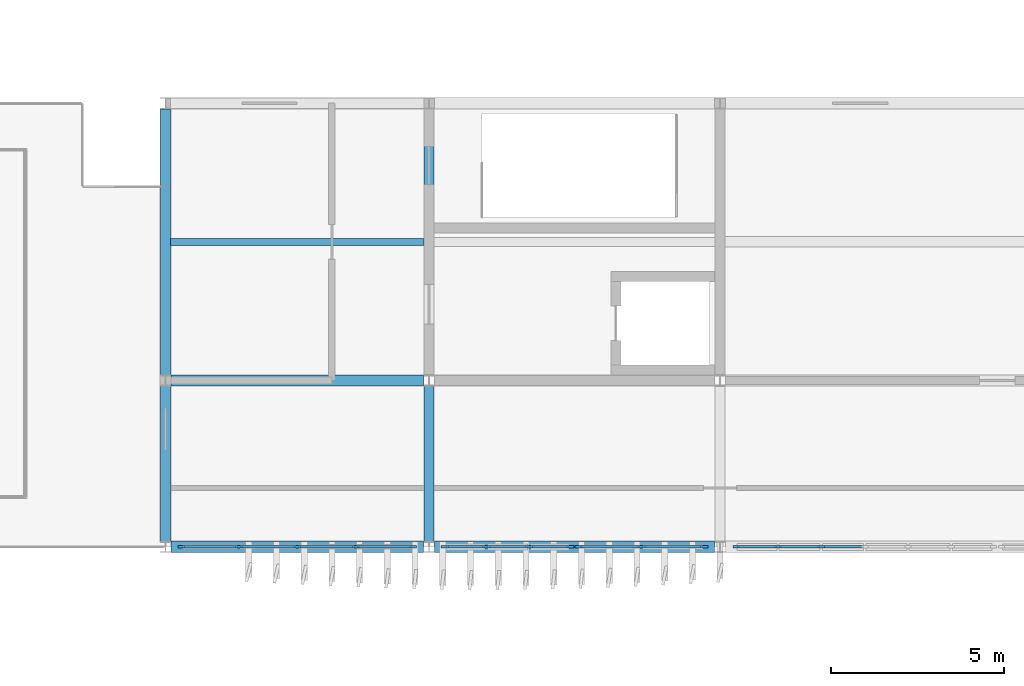
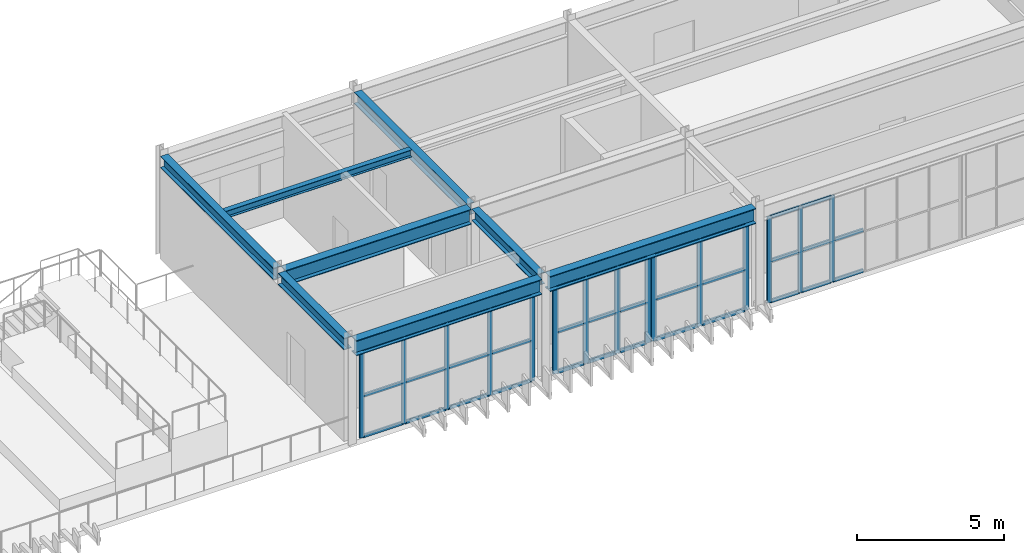
# One storey, part 15 of 45: 50 members, 8 beams, 4 elements without a shape of their own.
"""IFC4 building model written with IfcOpenShell, lengths in metres."""

import ifcopenshell
import ifcopenshell.guid

model = None  # the IFC model being written
_history = None  # IfcOwnerHistory: only IFC2X3 demands one
_inside = {}  # id of a spatial element -> (the spatial element, [elements in it])
_under = {}  # id of a project, library or spatial element -> (it, [spatial elements below it])
_declared = {}  # id of a project -> (the project, [libraries it declares])
_typed = {}  # id of a type object -> (the type object, [elements of that type])
_made_of = {}  # id of a material, layer set ... -> (it, [elements and type objects made of it])


def new_model(schema):
    """Start an empty IFC model of exactly this schema.

    Asked for "IFC4X3", IfcOpenShell would pick the latest addendum, in which some entities
    have other attributes; the version numbers below select the first issue.
    IFC2X3 requires an IfcOwnerHistory on every rooted entity: one is made here for all.
    """
    global model, _history
    if schema == "IFC4X3":
        model = ifcopenshell.file(schema_version=(4, 3, 0, 0))
    else:
        model = ifcopenshell.file(schema=schema)
    _inside.clear()
    _under.clear()
    _declared.clear()
    _typed.clear()
    _made_of.clear()
    _history = None
    if model.schema == "IFC2X3":
        org = make("IfcOrganization", Name="unknown")
        user = make(
            "IfcPersonAndOrganization",
            ThePerson=make("IfcPerson", FamilyName="unknown"),
            TheOrganization=org,
        )
        app = make(
            "IfcApplication",
            ApplicationDeveloper=org,
            Version="unknown",
            ApplicationFullName="unknown",
            ApplicationIdentifier="unknown",
        )
        _history = make(
            "IfcOwnerHistory",
            OwningUser=user,
            OwningApplication=app,
            ChangeAction="ADDED",
            CreationDate=0,
        )
    return model


def make(cls, **values):
    """One entity of the class cls with the attributes given. An attribute that is None is left unset."""
    return model.create_entity(
        cls, **{name: value for name, value in values.items() if value is not None}
    )


def rooted(cls, **values):
    """An entity with a GlobalId (a new one), such as an element, a storey or a relation."""
    return make(cls, GlobalId=ifcopenshell.guid.new(), OwnerHistory=_history, **values)


def si_unit(unit_type, name, prefix=None):
    """IfcSIUnit, for example si_unit("LENGTHUNIT", "METRE", prefix="MILLI")."""
    return make("IfcSIUnit", UnitType=unit_type, Prefix=prefix, Name=name)


def assignment(units):
    """IfcUnitAssignment: the units of a project."""
    return None if units is None else make("IfcUnitAssignment", Units=units)


def point(xyz):
    """IfcCartesianPoint."""
    return None if xyz is None else make("IfcCartesianPoint", Coordinates=xyz)


def direction(xyz):
    """IfcDirection."""
    return None if xyz is None else make("IfcDirection", DirectionRatios=xyz)


def frame(location, z_axis=None, x_axis=None):
    """IfcAxis2Placement3D, a coordinate frame: its origin and axes. An axis left out is left unset."""
    return make(
        "IfcAxis2Placement3D",
        Location=point(location),
        Axis=direction(z_axis),
        RefDirection=direction(x_axis),
    )


def frame_2d(location, x_axis=None):
    """IfcAxis2Placement2D, a coordinate frame in the plane: its origin and x axis."""
    return make(
        "IfcAxis2Placement2D", Location=point(location), RefDirection=direction(x_axis)
    )


def origin():
    """The frame at (0, 0, 0) with its axes left unset."""
    return frame((0.0, 0.0, 0.0))


def origin_2d():
    """The frame at (0, 0) in the plane with its x axis left unset."""
    return frame_2d((0.0, 0.0))


def place(relative_to, where):
    """IfcLocalPlacement: puts the frame where relative to a parent placement (None: the world)."""
    return make(
        "IfcLocalPlacement", PlacementRelTo=relative_to, RelativePlacement=where
    )


def context(
    kind, dimensions, precision=None, world=None, true_north=None, identifier=None
):
    """IfcGeometricRepresentationContext, for example the 3D "Model" context."""
    return make(
        "IfcGeometricRepresentationContext",
        ContextIdentifier=identifier,
        ContextType=kind,
        CoordinateSpaceDimension=dimensions,
        Precision=precision,
        WorldCoordinateSystem=world,
        TrueNorth=true_north,
    )


def subcontext(parent, identifier, kind, view, scale=None):
    """IfcGeometricRepresentationSubContext, for example "Body" below "Model"."""
    return make(
        "IfcGeometricRepresentationSubContext",
        ContextIdentifier=identifier,
        ContextType=kind,
        ParentContext=parent,
        TargetScale=scale,
        TargetView=view,
    )


def project(units=None, contexts=None):
    """IfcProject with its units and contexts."""
    return rooted(
        "IfcProject",
        Name="project",
        RepresentationContexts=contexts,
        UnitsInContext=assignment(units),
    )


def spatial(cls, under=None, at=None, **own):
    """A site, building, storey or space (cls), placed at a placement, below another one or the project."""
    s = rooted(cls, ObjectPlacement=at, **own)
    if under is not None:
        _under.setdefault(under.id(), (under, []))[1].append(s)
    return s


def profile(cls, at=None, kind="AREA", **sizes):
    """A parametric profile (cls). Its sizes go by their IFC names, for example OverallWidth=200.0."""
    return make(cls, ProfileType=kind, Position=at, **sizes)


def rectangle(**sizes):
    """IfcRectangleProfileDef."""
    return profile("IfcRectangleProfileDef", **sizes)


def i_section(**sizes):
    """IfcIShapeProfileDef."""
    return profile("IfcIShapeProfileDef", **sizes)


def extrude(swept, where, along, depth):
    """IfcExtrudedAreaSolid: the profile swept, set in the frame where, extruded along a direction by depth."""
    return make(
        "IfcExtrudedAreaSolid",
        SweptArea=swept,
        Position=where,
        ExtrudedDirection=direction(along),
        Depth=depth,
    )


def shape(context_of_items, identifier, shape_type, items):
    """IfcShapeRepresentation: the items that make up one representation, for example the "Body"."""
    return make(
        "IfcShapeRepresentation",
        ContextOfItems=context_of_items,
        RepresentationIdentifier=identifier,
        RepresentationType=shape_type,
        Items=items,
    )


def material(Name=None, Category=None):
    """IfcMaterial."""
    return make("IfcMaterial", Name=Name, Category=Category)


def layer(
    of_material, thickness, ventilated=None, Name=None, Category=None, Priority=None
):
    """IfcMaterialLayer: one layer of a wall or slab, of a material (None: an air gap)."""
    return make(
        "IfcMaterialLayer",
        Material=of_material,
        LayerThickness=thickness,
        IsVentilated=ventilated,
        Name=Name,
        Category=Category,
        Priority=Priority,
    )


def layer_set(layers, Name=None):
    """IfcMaterialLayerSet."""
    return make("IfcMaterialLayerSet", MaterialLayers=layers, LayerSetName=Name)


def material_profile(
    of_material, cross_section, Name=None, Category=None, Priority=None
):
    """IfcMaterialProfile: a cross section and its material."""
    return make(
        "IfcMaterialProfile",
        Name=Name,
        Material=of_material,
        Profile=cross_section,
        Priority=Priority,
        Category=Category,
    )


def profile_set(profiles, Name=None, composite=None):
    """IfcMaterialProfileSet."""
    return make(
        "IfcMaterialProfileSet",
        Name=Name,
        MaterialProfiles=profiles,
        CompositeProfile=composite,
    )


def made_of(thing, what):
    """Note that an element or type object is made of a material, layer set ...; save() writes the relation."""
    if what is not None:
        _made_of.setdefault(what.id(), (what, []))[1].append(thing)
    return thing


def type_object(cls, material=None, **own):
    """A type object (cls), such as IfcWallType, which elements share."""
    return made_of(rooted(cls, **own), material)


def element(
    cls,
    number,
    at=None,
    inside=None,
    cuts=None,
    type_object=None,
    material=None,
    context=None,
    identifier="Body",
    shape_type=None,
    held_by="IfcProductDefinitionShape",
    body=None,
    shapes=None,
    **own,
):
    """One element of the class cls, such as IfcWall. Its Tag is "e" and its number.

    at: its placement. inside: the storey or other place that contains it. cuts: it is an
    opening in that element (IfcRelVoidsElement). A single representation is given by context,
    identifier, shape_type and body (its items); several are given by shapes. held_by: the class
    of the entity that holds the representations. save() writes the other relations.
    """
    e = rooted(cls, Tag="e%d" % number, ObjectPlacement=at, **own)
    if body is not None:
        shapes = [shape(context, identifier, shape_type, body)]
    if shapes is not None:
        e.Representation = make(held_by, Representations=shapes)
    if inside is not None:
        _inside.setdefault(inside.id(), (inside, []))[1].append(e)
    if cuts is not None:
        rooted(
            "IfcRelVoidsElement", RelatingBuildingElement=cuts, RelatedOpeningElement=e
        )
    if type_object is not None:
        _typed.setdefault(type_object.id(), (type_object, []))[1].append(e)
    return made_of(e, material)


def aggregate(whole, parts):
    """IfcRelAggregates: a whole, such as a stair, and the parts it consists of."""
    return rooted("IfcRelAggregates", RelatingObject=whole, RelatedObjects=parts)


def save(model, path):
    """Write the relations noted so far, then the file.

    IfcRelAggregates (storeys below a building ...), IfcRelContainedInSpatialStructure (elements
    in a storey), IfcRelDefinesByType, IfcRelAssociatesMaterial and IfcRelDeclares: one each for
    every whole, place, type object, material and project.
    """
    for whole, parts in _under.values():
        aggregate(whole, parts)
    for where, things in _inside.values():
        rooted(
            "IfcRelContainedInSpatialStructure",
            RelatedElements=things,
            RelatingStructure=where,
        )
    for kind, things in _typed.values():
        rooted("IfcRelDefinesByType", RelatedObjects=things, RelatingType=kind)
    for what, things in _made_of.values():
        rooted("IfcRelAssociatesMaterial", RelatedObjects=things, RelatingMaterial=what)
    for by, libraries in _declared.values():
        rooted("IfcRelDeclares", RelatingContext=by, RelatedDefinitions=libraries)
    model.write(path)


model = new_model("IFC4")

# Units and contexts
model_context = context("Model", 3, precision=1e-05, world=origin(), true_north=direction((0.0, 1.0)))
body_context = subcontext(model_context, "Body", "Model", "MODEL_VIEW")
ifc_project = project(units=[si_unit("LENGTHUNIT", "METRE"), si_unit("AREAUNIT", "SQUARE_METRE"), si_unit("VOLUMEUNIT", "CUBIC_METRE"), si_unit("PLANEANGLEUNIT", "RADIAN"), si_unit("MASSUNIT", "GRAM", prefix="KILO")], contexts=[model_context])

# Site, building, storey
site_placement = place(None, origin())
site = spatial("IfcSite", under=ifc_project, at=site_placement, CompositionType="ELEMENT")
building_placement = place(site_placement, origin())
building = spatial("IfcBuilding", under=site, at=building_placement, Name="Cinchona Park Media Centre", CompositionType="ELEMENT")
storey_placement = place(building_placement, frame((0.0, 0.0, 20.39990234375)))
storey = spatial("IfcBuildingStorey", under=building, at=storey_placement, Name="L04", CompositionType="ELEMENT", Elevation=20.39990234375)

# Beams
ifc_material_1 = material(Name="Steel S355", Category="steel")
ifc_material_profile_1 = material_profile(ifc_material_1, i_section(OverallWidth=0.3291015625, OverallDepth=0.635009765625, WebThickness=0.017822265625, FlangeThickness=0.031005859375, at=origin_2d()), Name="W610X241")
ifc_profile_set_1 = profile_set([ifc_material_profile_1], Name="Steel S355")
beam_type_1 = type_object("IfcBeamType", Name="BEAM-B05-W610X241", PredefinedType="BEAM", material=ifc_profile_set_1)
beam_1_placement = place(storey_placement, frame((78.955078125, 74.800048828125, 3.9375), z_axis=(1.0, 0.0, 0.0), x_axis=(0.0, 1.0, 0.0)))
element("IfcBeam", 1, at=beam_1_placement, inside=storey, type_object=beam_type_1, Name="Beam B05 L04", PredefinedType="BEAM", context=body_context, shape_type="SweptSolid", body=[
    extrude(i_section(OverallWidth=0.3291015625, OverallDepth=0.635009765625, WebThickness=0.017822265625, FlangeThickness=0.031005859375, at=origin_2d()), origin(), (0.0, 0.0, 1.0), 7.2900390625),
])
beam_2_placement = place(storey_placement, frame((86.554931640625, 74.800048828125, 3.9375), z_axis=(1.0, 0.0, 0.0), x_axis=(0.0, 1.0, 0.0)))
element("IfcBeam", 2, at=beam_2_placement, inside=storey, type_object=beam_type_1, Name="Beam B05 L04", PredefinedType="BEAM", context=body_context, shape_type="SweptSolid", body=[
    extrude(i_section(OverallWidth=0.3291015625, OverallDepth=0.635009765625, WebThickness=0.017822265625, FlangeThickness=0.031005859375, at=origin_2d()), origin(), (0.0, 0.0, 1.0), 8.090087890625),
])
beam_3_placement = place(storey_placement, frame((78.955078125, 79.60009765625, 3.9375), z_axis=(1.0, 0.0, 0.0), x_axis=(0.0, 1.0, 0.0)))
element("IfcBeam", 3, at=beam_3_placement, inside=storey, type_object=beam_type_1, Name="Beam B05 L04", PredefinedType="BEAM", context=body_context, shape_type="SweptSolid", body=[
    extrude(i_section(OverallWidth=0.3291015625, OverallDepth=0.635009765625, WebThickness=0.017822265625, FlangeThickness=0.031005859375, at=origin_2d()), origin(), (0.0, 0.0, 1.0), 7.2900390625),
])
ifc_material_2 = material(Name="Steel S355", Category="steel")
ifc_material_profile_2 = material_profile(ifc_material_2, i_section(OverallWidth=0.285888671875, OverallDepth=0.48193359375, WebThickness=0.0166015625, FlangeThickness=0.02685546875, at=origin_2d()), Name="W460X177")
ifc_profile_set_2 = profile_set([ifc_material_profile_2], Name="Steel S355")
beam_type_2 = type_object("IfcBeamType", Name="BEAM-B06-W460X177", PredefinedType="BEAM", material=ifc_profile_set_2)
beam_4_placement = place(storey_placement, frame((78.800048828125, 74.9599609375, 4.01416015625), z_axis=(0.0, 1.0, 0.0), x_axis=(-1.0, 0.0, 0.0)))
element("IfcBeam", 4, at=beam_4_placement, inside=storey, type_object=beam_type_2, Name="Girder B06 L04", PredefinedType="BEAM", context=body_context, shape_type="SweptSolid", body=[
    extrude(i_section(OverallWidth=0.285888671875, OverallDepth=0.48193359375, WebThickness=0.0166015625, FlangeThickness=0.02685546875, at=origin_2d()), origin(), (0.0, 0.0, 1.0), 4.47998046875),
])
beam_5_placement = place(storey_placement, frame((78.800048828125, 79.760009765625, 4.01416015625), z_axis=(0.0, 1.0, 0.0), x_axis=(-1.0, 0.0, 0.0)))
element("IfcBeam", 5, at=beam_5_placement, inside=storey, type_object=beam_type_2, Name="Girder B06 L04", PredefinedType="BEAM", context=body_context, shape_type="SweptSolid", body=[
    extrude(i_section(OverallWidth=0.285888671875, OverallDepth=0.48193359375, WebThickness=0.0166015625, FlangeThickness=0.02685546875, at=origin_2d()), origin(), (0.0, 0.0, 1.0), 7.679931640625),
])
beam_6_placement = place(storey_placement, frame((86.39990234375, 74.9599609375, 4.01416015625), z_axis=(0.0, 1.0, 0.0), x_axis=(-1.0, 0.0, 0.0)))
element("IfcBeam", 6, at=beam_6_placement, inside=storey, type_object=beam_type_2, Name="Girder B06 L04", PredefinedType="BEAM", context=body_context, shape_type="SweptSolid", body=[
    extrude(i_section(OverallWidth=0.285888671875, OverallDepth=0.48193359375, WebThickness=0.0166015625, FlangeThickness=0.02685546875, at=origin_2d()), origin(), (0.0, 0.0, 1.0), 4.47998046875),
])
beam_7_placement = place(storey_placement, frame((86.39990234375, 79.760009765625, 4.01416015625), z_axis=(0.0, 1.0, 0.0), x_axis=(-1.0, 0.0, 0.0)))
element("IfcBeam", 7, at=beam_7_placement, inside=storey, type_object=beam_type_2, Name="Girder B06 L04", PredefinedType="BEAM", context=body_context, shape_type="SweptSolid", body=[
    extrude(i_section(OverallWidth=0.285888671875, OverallDepth=0.48193359375, WebThickness=0.0166015625, FlangeThickness=0.02685546875, at=origin_2d()), origin(), (0.0, 0.0, 1.0), 7.679931640625),
])
ifc_material_3 = material(Name="Steel S355", Category="steel")
ifc_material_profile_3 = material_profile(ifc_material_3, i_section(OverallWidth=0.202880859375, OverallDepth=0.302978515625, WebThickness=0.007568359375, FlangeThickness=0.01318359375, at=origin_2d()), Name="W310X60")
ifc_profile_set_3 = profile_set([ifc_material_profile_3], Name="Steel S355")
beam_type_3 = type_object("IfcBeamType", Name="BEAM-J03-W310X60", PredefinedType="JOIST", material=ifc_profile_set_3)
beam_8_placement = place(storey_placement, frame((78.943115234375, 83.60009765625, 4.103515625), z_axis=(1.0, 0.0, 0.0), x_axis=(0.0, 1.0, 0.0)))
element("IfcBeam", 8, at=beam_8_placement, inside=storey, type_object=beam_type_3, Name="Floor Joist J03 L04", PredefinedType="JOIST", context=body_context, shape_type="SweptSolid", body=[
    extrude(i_section(OverallWidth=0.202880859375, OverallDepth=0.302978515625, WebThickness=0.007568359375, FlangeThickness=0.01318359375, at=origin_2d()), origin(), (0.0, 0.0, 1.0), 7.31396484375),
])

# Curtain wall, members
ifc_material_4 = material(Name="Aluminium Curtain Wall Framing", Category="aluminium")
ifc_layer_1 = layer(ifc_material_4, 0.284912109375)
ifc_layer_set_1 = layer_set([ifc_layer_1], Name="Aluminium Curtain Wall Framing")
curtain_wall_type_1 = type_object("IfcCurtainWallType", Name="CW-CW08", PredefinedType="USERDEFINED", material=ifc_layer_set_1)
curtain_wall_1_placement = place(storey_placement, origin())
curtain_wall_1 = element("IfcCurtainWall", 9, at=curtain_wall_1_placement, inside=storey, type_object=curtain_wall_type_1, Name="Curtain Wall CW08 L04", ObjectType="UNITISED CURTAIN WALL", PredefinedType="USERDEFINED")
ifc_material_5 = material(Name="Anodised Aluminium Alloy 6063-T6", Category="aluminium")
ifc_material_profile_4 = material_profile(ifc_material_5, rectangle(XDim=0.070068359375, YDim=0.179931640625, at=origin_2d()), Name="MUL-70X180")
ifc_profile_set_4 = profile_set([ifc_material_profile_4], Name="Anodised Aluminium Alloy 6063-T6")
member_type_1 = type_object("IfcMemberType", Name="MULLION-MUL02", PredefinedType="MULLION", material=ifc_profile_set_4)
member_1_placement = place(storey_placement, frame((85.945068359375, 74.800048828125, 0.050048828125), z_axis=(0.0, 0.0, 1.0), x_axis=(0.0, -1.0, 0.0)))
member_1 = element("IfcMember", 10, at=member_1_placement, type_object=member_type_1, Name="CW08 mullion 1", PredefinedType="MULLION", context=body_context, shape_type="SweptSolid", body=[
    extrude(rectangle(XDim=0.070068359375, YDim=0.179931640625, at=origin_2d()), origin(), (0.0, 0.0, 1.0), 3.570068359375),
])
member_2_placement = place(storey_placement, frame((84.2900390625, 74.800048828125, 0.050048828125), z_axis=(0.0, 0.0, 1.0), x_axis=(0.0, -1.0, 0.0)))
member_2 = element("IfcMember", 11, at=member_2_placement, type_object=member_type_1, Name="CW08 mullion 2", PredefinedType="MULLION", context=body_context, shape_type="SweptSolid", body=[
    extrude(rectangle(XDim=0.070068359375, YDim=0.179931640625, at=origin_2d()), origin(), (0.0, 0.0, 1.0), 3.570068359375),
])
member_3_placement = place(storey_placement, frame((82.60009765625, 74.800048828125, 0.050048828125), z_axis=(0.0, 0.0, 1.0), x_axis=(0.0, -1.0, 0.0)))
member_3 = element("IfcMember", 12, at=member_3_placement, type_object=member_type_1, Name="CW08 mullion 3", PredefinedType="MULLION", context=body_context, shape_type="SweptSolid", body=[
    extrude(rectangle(XDim=0.070068359375, YDim=0.179931640625, at=origin_2d()), origin(), (0.0, 0.0, 1.0), 3.570068359375),
])
member_4_placement = place(storey_placement, frame((80.909912109375, 74.800048828125, 0.050048828125), z_axis=(0.0, 0.0, 1.0), x_axis=(0.0, -1.0, 0.0)))
member_4 = element("IfcMember", 13, at=member_4_placement, type_object=member_type_1, Name="CW08 mullion 4", PredefinedType="MULLION", context=body_context, shape_type="SweptSolid", body=[
    extrude(rectangle(XDim=0.070068359375, YDim=0.179931640625, at=origin_2d()), origin(), (0.0, 0.0, 1.0), 3.570068359375),
])
member_5_placement = place(storey_placement, frame((79.2548828125, 74.800048828125, 0.050048828125), z_axis=(0.0, 0.0, 1.0), x_axis=(0.0, -1.0, 0.0)))
member_5 = element("IfcMember", 14, at=member_5_placement, type_object=member_type_1, Name="CW08 mullion 5", PredefinedType="MULLION", context=body_context, shape_type="SweptSolid", body=[
    extrude(rectangle(XDim=0.070068359375, YDim=0.179931640625, at=origin_2d()), origin(), (0.0, 0.0, 1.0), 3.570068359375),
])

ifc_material_6 = material(Name="Aluminium Curtain Wall Framing", Category="aluminium")
ifc_layer_2 = layer(ifc_material_6, 0.2099609375)
ifc_layer_set_2 = layer_set([ifc_layer_2], Name="Aluminium Curtain Wall Framing")
curtain_wall_type_2 = type_object("IfcCurtainWallType", Name="CW-CW03", PredefinedType="USERDEFINED", material=ifc_layer_set_2)
curtain_wall_2_placement = place(storey_placement, origin())
curtain_wall_2 = element("IfcCurtainWall", 15, at=curtain_wall_2_placement, inside=storey, type_object=curtain_wall_type_2, Name="Curtain Wall CW03 L04", ObjectType="UNITISED CURTAIN WALL", PredefinedType="USERDEFINED")
member_6_placement = place(storey_placement, frame((97.719970703125, 74.800048828125, 0.050048828125), z_axis=(0.0, 0.0, 1.0), x_axis=(0.0, -1.0, 0.0)))
member_6 = element("IfcMember", 16, at=member_6_placement, type_object=member_type_1, Name="CW03 mullion 5", PredefinedType="MULLION", context=body_context, shape_type="SweptSolid", body=[
    extrude(rectangle(XDim=0.070068359375, YDim=0.179931640625, at=origin_2d()), origin(), (0.0, 0.0, 1.0), 3.570068359375),
])
member_7_placement = place(storey_placement, frame((96.469970703125, 74.800048828125, 0.050048828125), z_axis=(0.0, 0.0, 1.0), x_axis=(0.0, -1.0, 0.0)))
member_7 = element("IfcMember", 17, at=member_7_placement, type_object=member_type_1, Name="CW03 mullion 6", PredefinedType="MULLION", context=body_context, shape_type="SweptSolid", body=[
    extrude(rectangle(XDim=0.070068359375, YDim=0.179931640625, at=origin_2d()), origin(), (0.0, 0.0, 1.0), 3.570068359375),
])
member_8_placement = place(storey_placement, frame((95.2548828125, 74.800048828125, 0.050048828125), z_axis=(0.0, 0.0, 1.0), x_axis=(0.0, -1.0, 0.0)))
member_8 = element("IfcMember", 18, at=member_8_placement, type_object=member_type_1, Name="CW03 mullion 7", PredefinedType="MULLION", context=body_context, shape_type="SweptSolid", body=[
    extrude(rectangle(XDim=0.070068359375, YDim=0.179931640625, at=origin_2d()), origin(), (0.0, 0.0, 1.0), 3.570068359375),
])

ifc_material_7 = material(Name="Aluminium Curtain Wall Framing", Category="aluminium")
ifc_layer_3 = layer(ifc_material_7, 0.300048828125)
ifc_layer_set_3 = layer_set([ifc_layer_3], Name="Aluminium Curtain Wall Framing")
curtain_wall_type_3 = type_object("IfcCurtainWallType", Name="CW-CW09", PredefinedType="USERDEFINED", material=ifc_layer_set_3)
curtain_wall_3_placement = place(storey_placement, origin())
curtain_wall_3 = element("IfcCurtainWall", 19, at=curtain_wall_3_placement, inside=storey, type_object=curtain_wall_type_3, Name="Curtain Wall CW09 L04", ObjectType="UNITISED CURTAIN WALL", PredefinedType="USERDEFINED")
ifc_material_8 = material(Name="Anodised Aluminium Alloy 6063-T6", Category="aluminium")
ifc_material_profile_5 = material_profile(ifc_material_8, rectangle(XDim=0.074951171875, YDim=0.2099609375, at=origin_2d()), Name="MUL-75X210")
ifc_profile_set_5 = profile_set([ifc_material_profile_5], Name="Anodised Aluminium Alloy 6063-T6")
member_type_2 = type_object("IfcMemberType", Name="MULLION-MUL03", PredefinedType="MULLION", material=ifc_profile_set_5)
member_9_placement = place(storey_placement, frame((94.342529296875, 74.800048828125, 0.050048828125), z_axis=(0.0, 0.0, 1.0), x_axis=(0.0, -1.0, 0.0)))
member_9 = element("IfcMember", 20, at=member_9_placement, type_object=member_type_2, Name="CW09 mullion 1", PredefinedType="MULLION", context=body_context, shape_type="SweptSolid", body=[
    extrude(rectangle(XDim=0.074951171875, YDim=0.2099609375, at=origin_2d()), origin(), (0.0, 0.0, 1.0), 3.570068359375),
])
member_10_placement = place(storey_placement, frame((92.530029296875, 74.800048828125, 0.050048828125), z_axis=(0.0, 0.0, 1.0), x_axis=(0.0, -1.0, 0.0)))
member_10 = element("IfcMember", 21, at=member_10_placement, type_object=member_type_2, Name="CW09 mullion 2", PredefinedType="MULLION", context=body_context, shape_type="SweptSolid", body=[
    extrude(rectangle(XDim=0.074951171875, YDim=0.2099609375, at=origin_2d()), origin(), (0.0, 0.0, 1.0), 3.570068359375),
])
member_11_placement = place(storey_placement, frame((90.717529296875, 74.800048828125, 0.050048828125), z_axis=(0.0, 0.0, 1.0), x_axis=(0.0, -1.0, 0.0)))
member_11 = element("IfcMember", 22, at=member_11_placement, type_object=member_type_2, Name="CW09 mullion 3", PredefinedType="MULLION", context=body_context, shape_type="SweptSolid", body=[
    extrude(rectangle(XDim=0.074951171875, YDim=0.2099609375, at=origin_2d()), origin(), (0.0, 0.0, 1.0), 3.570068359375),
])

ifc_material_9 = material(Name="Aluminium Curtain Wall Framing", Category="aluminium")
ifc_layer_4 = layer(ifc_material_9, 0.179931640625)
ifc_layer_set_4 = layer_set([ifc_layer_4], Name="Aluminium Curtain Wall Framing")
curtain_wall_type_4 = type_object("IfcCurtainWallType", Name="CW-CW01", PredefinedType="USERDEFINED", material=ifc_layer_set_4)
curtain_wall_4_placement = place(storey_placement, origin())
curtain_wall_4 = element("IfcCurtainWall", 23, at=curtain_wall_4_placement, inside=storey, type_object=curtain_wall_type_4, Name="Curtain Wall CW01 L04", ObjectType="UNITISED CURTAIN WALL", PredefinedType="USERDEFINED")
member_12_placement = place(storey_placement, frame((90.482421875, 74.800048828125, 0.050048828125), z_axis=(0.0, 0.0, 1.0), x_axis=(0.0, -1.0, 0.0)))
member_12 = element("IfcMember", 24, at=member_12_placement, type_object=member_type_2, Name="CW01 mullion 1", PredefinedType="MULLION", context=body_context, shape_type="SweptSolid", body=[
    extrude(rectangle(XDim=0.074951171875, YDim=0.2099609375, at=origin_2d()), origin(), (0.0, 0.0, 1.0), 3.570068359375),
])
member_13_placement = place(storey_placement, frame((89.28662109375, 74.800048828125, 0.050048828125), z_axis=(0.0, 0.0, 1.0), x_axis=(0.0, -1.0, 0.0)))
member_13 = element("IfcMember", 25, at=member_13_placement, type_object=member_type_2, Name="CW01 mullion 2", PredefinedType="MULLION", context=body_context, shape_type="SweptSolid", body=[
    extrude(rectangle(XDim=0.074951171875, YDim=0.2099609375, at=origin_2d()), origin(), (0.0, 0.0, 1.0), 3.570068359375),
])
member_14_placement = place(storey_placement, frame((88.05322265625, 74.800048828125, 0.050048828125), z_axis=(0.0, 0.0, 1.0), x_axis=(0.0, -1.0, 0.0)))
member_14 = element("IfcMember", 26, at=member_14_placement, type_object=member_type_2, Name="CW01 mullion 3", PredefinedType="MULLION", context=body_context, shape_type="SweptSolid", body=[
    extrude(rectangle(XDim=0.074951171875, YDim=0.2099609375, at=origin_2d()), origin(), (0.0, 0.0, 1.0), 3.570068359375),
])
member_15_placement = place(storey_placement, frame((86.857421875, 74.800048828125, 0.050048828125), z_axis=(0.0, 0.0, 1.0), x_axis=(0.0, -1.0, 0.0)))
member_15 = element("IfcMember", 27, at=member_15_placement, type_object=member_type_2, Name="CW01 mullion 4", PredefinedType="MULLION", context=body_context, shape_type="SweptSolid", body=[
    extrude(rectangle(XDim=0.074951171875, YDim=0.2099609375, at=origin_2d()), origin(), (0.0, 0.0, 1.0), 3.570068359375),
])

# Member
ifc_material_10 = material(Name="Anodised Aluminium Alloy 6063-T6", Category="aluminium")
ifc_material_profile_6 = material_profile(ifc_material_10, rectangle(XDim=0.070068359375, YDim=0.139892578125, at=origin_2d()), Name="TRN-70X140")
ifc_profile_set_6 = profile_set([ifc_material_profile_6], Name="Anodised Aluminium Alloy 6063-T6")
member_type_3 = type_object("IfcMemberType", Name="TRANSOM-TRN02", PredefinedType="USERDEFINED", material=ifc_profile_set_6)
member_16_placement = place(storey_placement, frame((85.909912109375, 74.800048828125, 0.085205078125), z_axis=(-1.0, 0.0, 0.0), x_axis=(0.0, -1.0, 0.0)))
member_16 = element("IfcMember", 28, at=member_16_placement, type_object=member_type_3, Name="CW08 transom 1.1", ObjectType="TRANSOM", PredefinedType="USERDEFINED", context=body_context, shape_type="SweptSolid", body=[
    extrude(rectangle(XDim=0.070068359375, YDim=0.139892578125, at=origin_2d()), origin(), (0.0, 0.0, 1.0), 1.5849609375),
])

member_17_placement = place(storey_placement, frame((85.909912109375, 74.800048828125, 1.76416015625), z_axis=(-1.0, 0.0, 0.0), x_axis=(0.0, -1.0, 0.0)))
member_17 = element("IfcMember", 29, at=member_17_placement, type_object=member_type_3, Name="CW08 transom 1.2", ObjectType="TRANSOM", PredefinedType="USERDEFINED", context=body_context, shape_type="SweptSolid", body=[
    extrude(rectangle(XDim=0.070068359375, YDim=0.139892578125, at=origin_2d()), origin(), (0.0, 0.0, 1.0), 1.5849609375),
])

member_18_placement = place(storey_placement, frame((85.909912109375, 74.800048828125, 3.585205078125), z_axis=(-1.0, 0.0, 0.0), x_axis=(0.0, -1.0, 0.0)))
member_18 = element("IfcMember", 30, at=member_18_placement, type_object=member_type_3, Name="CW08 transom 1.3", ObjectType="TRANSOM", PredefinedType="USERDEFINED", context=body_context, shape_type="SweptSolid", body=[
    extrude(rectangle(XDim=0.070068359375, YDim=0.139892578125, at=origin_2d()), origin(), (0.0, 0.0, 1.0), 1.5849609375),
])

member_19_placement = place(storey_placement, frame((84.2548828125, 74.800048828125, 0.085205078125), z_axis=(-1.0, 0.0, 0.0), x_axis=(0.0, -1.0, 0.0)))
member_19 = element("IfcMember", 31, at=member_19_placement, type_object=member_type_3, Name="CW08 transom 2.1", ObjectType="TRANSOM", PredefinedType="USERDEFINED", context=body_context, shape_type="SweptSolid", body=[
    extrude(rectangle(XDim=0.070068359375, YDim=0.139892578125, at=origin_2d()), origin(), (0.0, 0.0, 1.0), 1.619873046875),
])

member_20_placement = place(storey_placement, frame((84.2548828125, 74.800048828125, 1.76416015625), z_axis=(-1.0, 0.0, 0.0), x_axis=(0.0, -1.0, 0.0)))
member_20 = element("IfcMember", 32, at=member_20_placement, type_object=member_type_3, Name="CW08 transom 2.2", ObjectType="TRANSOM", PredefinedType="USERDEFINED", context=body_context, shape_type="SweptSolid", body=[
    extrude(rectangle(XDim=0.070068359375, YDim=0.139892578125, at=origin_2d()), origin(), (0.0, 0.0, 1.0), 1.619873046875),
])

member_21_placement = place(storey_placement, frame((84.2548828125, 74.800048828125, 3.585205078125), z_axis=(-1.0, 0.0, 0.0), x_axis=(0.0, -1.0, 0.0)))
member_21 = element("IfcMember", 33, at=member_21_placement, type_object=member_type_3, Name="CW08 transom 2.3", ObjectType="TRANSOM", PredefinedType="USERDEFINED", context=body_context, shape_type="SweptSolid", body=[
    extrude(rectangle(XDim=0.070068359375, YDim=0.139892578125, at=origin_2d()), origin(), (0.0, 0.0, 1.0), 1.619873046875),
])

member_22_placement = place(storey_placement, frame((82.56494140625, 74.800048828125, 0.085205078125), z_axis=(-1.0, 0.0, 0.0), x_axis=(0.0, -1.0, 0.0)))
member_22 = element("IfcMember", 34, at=member_22_placement, type_object=member_type_3, Name="CW08 transom 3.1", ObjectType="TRANSOM", PredefinedType="USERDEFINED", context=body_context, shape_type="SweptSolid", body=[
    extrude(rectangle(XDim=0.070068359375, YDim=0.139892578125, at=origin_2d()), origin(), (0.0, 0.0, 1.0), 1.619873046875),
])

member_23_placement = place(storey_placement, frame((82.56494140625, 74.800048828125, 1.76416015625), z_axis=(-1.0, 0.0, 0.0), x_axis=(0.0, -1.0, 0.0)))
member_23 = element("IfcMember", 35, at=member_23_placement, type_object=member_type_3, Name="CW08 transom 3.2", ObjectType="TRANSOM", PredefinedType="USERDEFINED", context=body_context, shape_type="SweptSolid", body=[
    extrude(rectangle(XDim=0.070068359375, YDim=0.139892578125, at=origin_2d()), origin(), (0.0, 0.0, 1.0), 1.619873046875),
])

member_24_placement = place(storey_placement, frame((82.56494140625, 74.800048828125, 3.585205078125), z_axis=(-1.0, 0.0, 0.0), x_axis=(0.0, -1.0, 0.0)))
member_24 = element("IfcMember", 36, at=member_24_placement, type_object=member_type_3, Name="CW08 transom 3.3", ObjectType="TRANSOM", PredefinedType="USERDEFINED", context=body_context, shape_type="SweptSolid", body=[
    extrude(rectangle(XDim=0.070068359375, YDim=0.139892578125, at=origin_2d()), origin(), (0.0, 0.0, 1.0), 1.619873046875),
])

member_25_placement = place(storey_placement, frame((80.875, 74.800048828125, 0.085205078125), z_axis=(-1.0, 0.0, 0.0), x_axis=(0.0, -1.0, 0.0)))
member_25 = element("IfcMember", 37, at=member_25_placement, type_object=member_type_3, Name="CW08 transom 4.1", ObjectType="TRANSOM", PredefinedType="USERDEFINED", context=body_context, shape_type="SweptSolid", body=[
    extrude(rectangle(XDim=0.070068359375, YDim=0.139892578125, at=origin_2d()), origin(), (0.0, 0.0, 1.0), 1.5849609375),
])

member_26_placement = place(storey_placement, frame((80.875, 74.800048828125, 1.76416015625), z_axis=(-1.0, 0.0, 0.0), x_axis=(0.0, -1.0, 0.0)))
member_26 = element("IfcMember", 38, at=member_26_placement, type_object=member_type_3, Name="CW08 transom 4.2", ObjectType="TRANSOM", PredefinedType="USERDEFINED", context=body_context, shape_type="SweptSolid", body=[
    extrude(rectangle(XDim=0.070068359375, YDim=0.139892578125, at=origin_2d()), origin(), (0.0, 0.0, 1.0), 1.5849609375),
])

member_27_placement = place(storey_placement, frame((80.875, 74.800048828125, 3.585205078125), z_axis=(-1.0, 0.0, 0.0), x_axis=(0.0, -1.0, 0.0)))
member_27 = element("IfcMember", 39, at=member_27_placement, type_object=member_type_3, Name="CW08 transom 4.3", ObjectType="TRANSOM", PredefinedType="USERDEFINED", context=body_context, shape_type="SweptSolid", body=[
    extrude(rectangle(XDim=0.070068359375, YDim=0.139892578125, at=origin_2d()), origin(), (0.0, 0.0, 1.0), 1.5849609375),
])

aggregate(curtain_wall_1, [member_1, member_2, member_3, member_4, member_5, member_16, member_17, member_18, member_19, member_20, member_21, member_22, member_23, member_24, member_25, member_26, member_27])

member_28_placement = place(storey_placement, frame((98.93505859375, 74.800048828125, 0.085205078125), z_axis=(-1.0, 0.0, 0.0), x_axis=(0.0, -1.0, 0.0)))
member_28 = element("IfcMember", 40, at=member_28_placement, type_object=member_type_3, Name="CW03 transom 4.1", ObjectType="TRANSOM", PredefinedType="USERDEFINED", context=body_context, shape_type="SweptSolid", body=[
    extrude(rectangle(XDim=0.070068359375, YDim=0.139892578125, at=origin_2d()), origin(), (0.0, 0.0, 1.0), 1.18017578125),
])

member_29_placement = place(storey_placement, frame((98.93505859375, 74.800048828125, 1.76416015625), z_axis=(-1.0, 0.0, 0.0), x_axis=(0.0, -1.0, 0.0)))
member_29 = element("IfcMember", 41, at=member_29_placement, type_object=member_type_3, Name="CW03 transom 4.2", ObjectType="TRANSOM", PredefinedType="USERDEFINED", context=body_context, shape_type="SweptSolid", body=[
    extrude(rectangle(XDim=0.070068359375, YDim=0.139892578125, at=origin_2d()), origin(), (0.0, 0.0, 1.0), 1.18017578125),
])

member_30_placement = place(storey_placement, frame((97.68505859375, 74.800048828125, 0.085205078125), z_axis=(-1.0, 0.0, 0.0), x_axis=(0.0, -1.0, 0.0)))
member_30 = element("IfcMember", 42, at=member_30_placement, type_object=member_type_3, Name="CW03 transom 5.1", ObjectType="TRANSOM", PredefinedType="USERDEFINED", context=body_context, shape_type="SweptSolid", body=[
    extrude(rectangle(XDim=0.070068359375, YDim=0.139892578125, at=origin_2d()), origin(), (0.0, 0.0, 1.0), 1.18017578125),
])

member_31_placement = place(storey_placement, frame((97.68505859375, 74.800048828125, 1.76416015625), z_axis=(-1.0, 0.0, 0.0), x_axis=(0.0, -1.0, 0.0)))
member_31 = element("IfcMember", 43, at=member_31_placement, type_object=member_type_3, Name="CW03 transom 5.2", ObjectType="TRANSOM", PredefinedType="USERDEFINED", context=body_context, shape_type="SweptSolid", body=[
    extrude(rectangle(XDim=0.070068359375, YDim=0.139892578125, at=origin_2d()), origin(), (0.0, 0.0, 1.0), 1.18017578125),
])

member_32_placement = place(storey_placement, frame((97.68505859375, 74.800048828125, 3.585205078125), z_axis=(-1.0, 0.0, 0.0), x_axis=(0.0, -1.0, 0.0)))
member_32 = element("IfcMember", 44, at=member_32_placement, type_object=member_type_3, Name="CW03 transom 5.3", ObjectType="TRANSOM", PredefinedType="USERDEFINED", context=body_context, shape_type="SweptSolid", body=[
    extrude(rectangle(XDim=0.070068359375, YDim=0.139892578125, at=origin_2d()), origin(), (0.0, 0.0, 1.0), 1.18017578125),
])

member_33_placement = place(storey_placement, frame((96.43505859375, 74.800048828125, 0.085205078125), z_axis=(-1.0, 0.0, 0.0), x_axis=(0.0, -1.0, 0.0)))
member_33 = element("IfcMember", 45, at=member_33_placement, type_object=member_type_3, Name="CW03 transom 6.1", ObjectType="TRANSOM", PredefinedType="USERDEFINED", context=body_context, shape_type="SweptSolid", body=[
    extrude(rectangle(XDim=0.070068359375, YDim=0.139892578125, at=origin_2d()), origin(), (0.0, 0.0, 1.0), 1.14501953125),
])

member_34_placement = place(storey_placement, frame((96.43505859375, 74.800048828125, 1.76416015625), z_axis=(-1.0, 0.0, 0.0), x_axis=(0.0, -1.0, 0.0)))
member_34 = element("IfcMember", 46, at=member_34_placement, type_object=member_type_3, Name="CW03 transom 6.2", ObjectType="TRANSOM", PredefinedType="USERDEFINED", context=body_context, shape_type="SweptSolid", body=[
    extrude(rectangle(XDim=0.070068359375, YDim=0.139892578125, at=origin_2d()), origin(), (0.0, 0.0, 1.0), 1.14501953125),
])

member_35_placement = place(storey_placement, frame((96.43505859375, 74.800048828125, 3.585205078125), z_axis=(-1.0, 0.0, 0.0), x_axis=(0.0, -1.0, 0.0)))
member_35 = element("IfcMember", 47, at=member_35_placement, type_object=member_type_3, Name="CW03 transom 6.3", ObjectType="TRANSOM", PredefinedType="USERDEFINED", context=body_context, shape_type="SweptSolid", body=[
    extrude(rectangle(XDim=0.070068359375, YDim=0.139892578125, at=origin_2d()), origin(), (0.0, 0.0, 1.0), 1.14501953125),
])

aggregate(curtain_wall_2, [member_6, member_7, member_8, member_28, member_29, member_30, member_31, member_32, member_33, member_34, member_35])

ifc_material_11 = material(Name="Anodised Aluminium Alloy 6063-T6", Category="aluminium")
ifc_material_profile_7 = material_profile(ifc_material_11, rectangle(XDim=0.074951171875, YDim=0.159912109375, at=origin_2d()), Name="TRN-75X160")
ifc_profile_set_7 = profile_set([ifc_material_profile_7], Name="Anodised Aluminium Alloy 6063-T6")
member_type_4 = type_object("IfcMemberType", Name="TRANSOM-TRN03", PredefinedType="USERDEFINED", material=ifc_profile_set_7)
member_36_placement = place(storey_placement, frame((94.304931640625, 74.800048828125, 0.087646484375), z_axis=(-1.0, 0.0, 0.0), x_axis=(0.0, -1.0, 0.0)))
member_36 = element("IfcMember", 48, at=member_36_placement, type_object=member_type_4, Name="CW09 transom 1.1", ObjectType="TRANSOM", PredefinedType="USERDEFINED", context=body_context, shape_type="SweptSolid", body=[
    extrude(rectangle(XDim=0.074951171875, YDim=0.159912109375, at=origin_2d()), origin(), (0.0, 0.0, 1.0), 1.737548828125),
])

member_37_placement = place(storey_placement, frame((94.304931640625, 74.800048828125, 1.76416015625), z_axis=(-1.0, 0.0, 0.0), x_axis=(0.0, -1.0, 0.0)))
member_37 = element("IfcMember", 49, at=member_37_placement, type_object=member_type_4, Name="CW09 transom 1.2", ObjectType="TRANSOM", PredefinedType="USERDEFINED", context=body_context, shape_type="SweptSolid", body=[
    extrude(rectangle(XDim=0.074951171875, YDim=0.159912109375, at=origin_2d()), origin(), (0.0, 0.0, 1.0), 1.737548828125),
])

member_38_placement = place(storey_placement, frame((94.304931640625, 74.800048828125, 3.58251953125), z_axis=(-1.0, 0.0, 0.0), x_axis=(0.0, -1.0, 0.0)))
member_38 = element("IfcMember", 50, at=member_38_placement, type_object=member_type_4, Name="CW09 transom 1.3", ObjectType="TRANSOM", PredefinedType="USERDEFINED", context=body_context, shape_type="SweptSolid", body=[
    extrude(rectangle(XDim=0.074951171875, YDim=0.159912109375, at=origin_2d()), origin(), (0.0, 0.0, 1.0), 1.737548828125),
])

member_39_placement = place(storey_placement, frame((92.492431640625, 74.800048828125, 0.087646484375), z_axis=(-1.0, 0.0, 0.0), x_axis=(0.0, -1.0, 0.0)))
member_39 = element("IfcMember", 51, at=member_39_placement, type_object=member_type_4, Name="CW09 transom 2.1", ObjectType="TRANSOM", PredefinedType="USERDEFINED", context=body_context, shape_type="SweptSolid", body=[
    extrude(rectangle(XDim=0.074951171875, YDim=0.159912109375, at=origin_2d()), origin(), (0.0, 0.0, 1.0), 1.737548828125),
])

member_40_placement = place(storey_placement, frame((92.492431640625, 74.800048828125, 1.76416015625), z_axis=(-1.0, 0.0, 0.0), x_axis=(0.0, -1.0, 0.0)))
member_40 = element("IfcMember", 52, at=member_40_placement, type_object=member_type_4, Name="CW09 transom 2.2", ObjectType="TRANSOM", PredefinedType="USERDEFINED", context=body_context, shape_type="SweptSolid", body=[
    extrude(rectangle(XDim=0.074951171875, YDim=0.159912109375, at=origin_2d()), origin(), (0.0, 0.0, 1.0), 1.737548828125),
])

member_41_placement = place(storey_placement, frame((92.492431640625, 74.800048828125, 3.58251953125), z_axis=(-1.0, 0.0, 0.0), x_axis=(0.0, -1.0, 0.0)))
member_41 = element("IfcMember", 53, at=member_41_placement, type_object=member_type_4, Name="CW09 transom 2.3", ObjectType="TRANSOM", PredefinedType="USERDEFINED", context=body_context, shape_type="SweptSolid", body=[
    extrude(rectangle(XDim=0.074951171875, YDim=0.159912109375, at=origin_2d()), origin(), (0.0, 0.0, 1.0), 1.737548828125),
])

aggregate(curtain_wall_3, [member_9, member_10, member_11, member_36, member_37, member_38, member_39, member_40, member_41])

member_42_placement = place(storey_placement, frame((90.445068359375, 74.800048828125, 0.087646484375), z_axis=(-1.0, 0.0, 0.0), x_axis=(0.0, -1.0, 0.0)))
member_42 = element("IfcMember", 54, at=member_42_placement, type_object=member_type_4, Name="CW01 transom 1.1", ObjectType="TRANSOM", PredefinedType="USERDEFINED", context=body_context, shape_type="SweptSolid", body=[
    extrude(rectangle(XDim=0.074951171875, YDim=0.159912109375, at=origin_2d()), origin(), (0.0, 0.0, 1.0), 1.120849609375),
])

member_43_placement = place(storey_placement, frame((90.445068359375, 74.800048828125, 1.76416015625), z_axis=(-1.0, 0.0, 0.0), x_axis=(0.0, -1.0, 0.0)))
member_43 = element("IfcMember", 55, at=member_43_placement, type_object=member_type_4, Name="CW01 transom 1.2", ObjectType="TRANSOM", PredefinedType="USERDEFINED", context=body_context, shape_type="SweptSolid", body=[
    extrude(rectangle(XDim=0.074951171875, YDim=0.159912109375, at=origin_2d()), origin(), (0.0, 0.0, 1.0), 1.120849609375),
])

member_44_placement = place(storey_placement, frame((90.445068359375, 74.800048828125, 3.58251953125), z_axis=(-1.0, 0.0, 0.0), x_axis=(0.0, -1.0, 0.0)))
member_44 = element("IfcMember", 56, at=member_44_placement, type_object=member_type_4, Name="CW01 transom 1.3", ObjectType="TRANSOM", PredefinedType="USERDEFINED", context=body_context, shape_type="SweptSolid", body=[
    extrude(rectangle(XDim=0.074951171875, YDim=0.159912109375, at=origin_2d()), origin(), (0.0, 0.0, 1.0), 1.120849609375),
])

member_45_placement = place(storey_placement, frame((89.249267578125, 74.800048828125, 0.087646484375), z_axis=(-1.0, 0.0, 0.0), x_axis=(0.0, -1.0, 0.0)))
member_45 = element("IfcMember", 57, at=member_45_placement, type_object=member_type_4, Name="CW01 transom 2.1", ObjectType="TRANSOM", PredefinedType="USERDEFINED", context=body_context, shape_type="SweptSolid", body=[
    extrude(rectangle(XDim=0.074951171875, YDim=0.159912109375, at=origin_2d()), origin(), (0.0, 0.0, 1.0), 1.158447265625),
])

member_46_placement = place(storey_placement, frame((89.249267578125, 74.800048828125, 1.76416015625), z_axis=(-1.0, 0.0, 0.0), x_axis=(0.0, -1.0, 0.0)))
member_46 = element("IfcMember", 58, at=member_46_placement, type_object=member_type_4, Name="CW01 transom 2.2", ObjectType="TRANSOM", PredefinedType="USERDEFINED", context=body_context, shape_type="SweptSolid", body=[
    extrude(rectangle(XDim=0.074951171875, YDim=0.159912109375, at=origin_2d()), origin(), (0.0, 0.0, 1.0), 1.158447265625),
])

member_47_placement = place(storey_placement, frame((89.249267578125, 74.800048828125, 3.58251953125), z_axis=(-1.0, 0.0, 0.0), x_axis=(0.0, -1.0, 0.0)))
member_47 = element("IfcMember", 59, at=member_47_placement, type_object=member_type_4, Name="CW01 transom 2.3", ObjectType="TRANSOM", PredefinedType="USERDEFINED", context=body_context, shape_type="SweptSolid", body=[
    extrude(rectangle(XDim=0.074951171875, YDim=0.159912109375, at=origin_2d()), origin(), (0.0, 0.0, 1.0), 1.158447265625),
])

member_48_placement = place(storey_placement, frame((88.015869140625, 74.800048828125, 0.087646484375), z_axis=(-1.0, 0.0, 0.0), x_axis=(0.0, -1.0, 0.0)))
member_48 = element("IfcMember", 60, at=member_48_placement, type_object=member_type_4, Name="CW01 transom 3.1", ObjectType="TRANSOM", PredefinedType="USERDEFINED", context=body_context, shape_type="SweptSolid", body=[
    extrude(rectangle(XDim=0.074951171875, YDim=0.159912109375, at=origin_2d()), origin(), (0.0, 0.0, 1.0), 1.120849609375),
])

member_49_placement = place(storey_placement, frame((88.015869140625, 74.800048828125, 1.76416015625), z_axis=(-1.0, 0.0, 0.0), x_axis=(0.0, -1.0, 0.0)))
member_49 = element("IfcMember", 61, at=member_49_placement, type_object=member_type_4, Name="CW01 transom 3.2", ObjectType="TRANSOM", PredefinedType="USERDEFINED", context=body_context, shape_type="SweptSolid", body=[
    extrude(rectangle(XDim=0.074951171875, YDim=0.159912109375, at=origin_2d()), origin(), (0.0, 0.0, 1.0), 1.120849609375),
])

member_50_placement = place(storey_placement, frame((88.015869140625, 74.800048828125, 3.58251953125), z_axis=(-1.0, 0.0, 0.0), x_axis=(0.0, -1.0, 0.0)))
member_50 = element("IfcMember", 62, at=member_50_placement, type_object=member_type_4, Name="CW01 transom 3.3", ObjectType="TRANSOM", PredefinedType="USERDEFINED", context=body_context, shape_type="SweptSolid", body=[
    extrude(rectangle(XDim=0.074951171875, YDim=0.159912109375, at=origin_2d()), origin(), (0.0, 0.0, 1.0), 1.120849609375),
])

aggregate(curtain_wall_4, [member_12, member_13, member_14, member_15, member_42, member_43, member_44, member_45, member_46, member_47, member_48, member_49, member_50])

save(model, "model.ifc")
